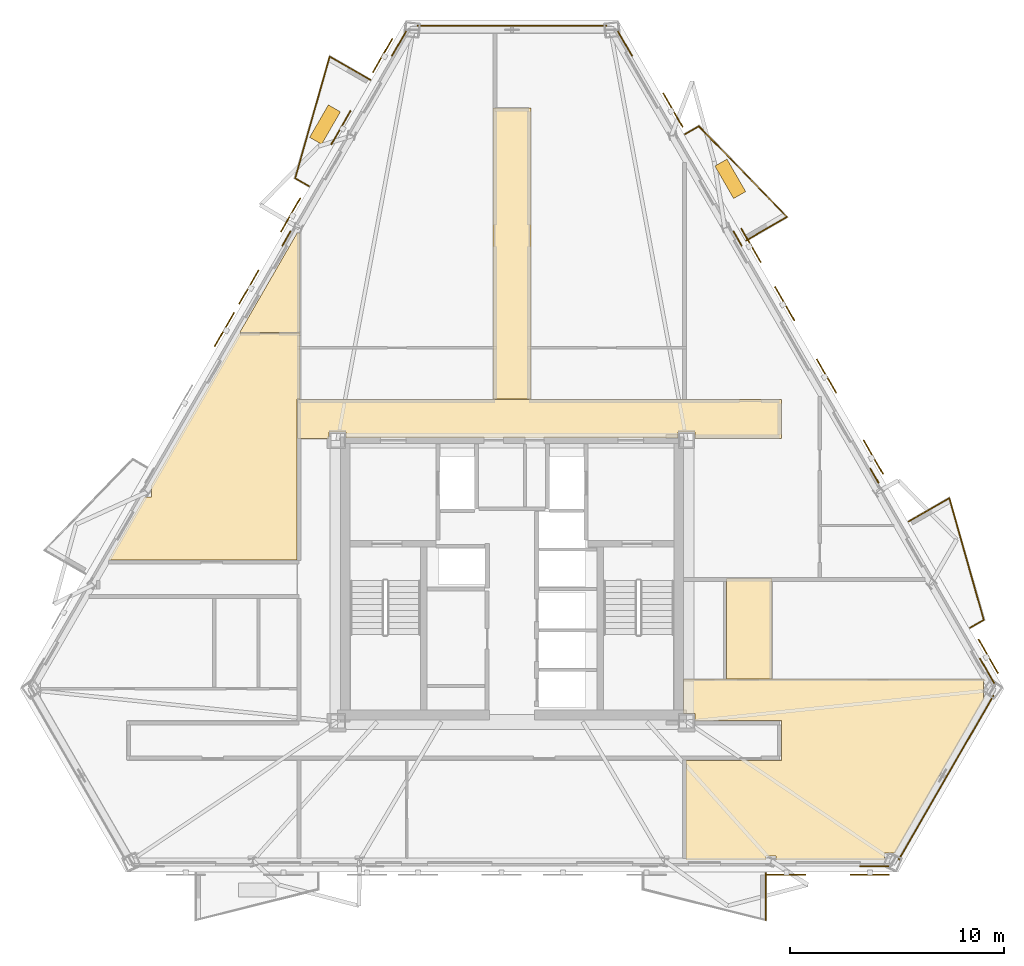
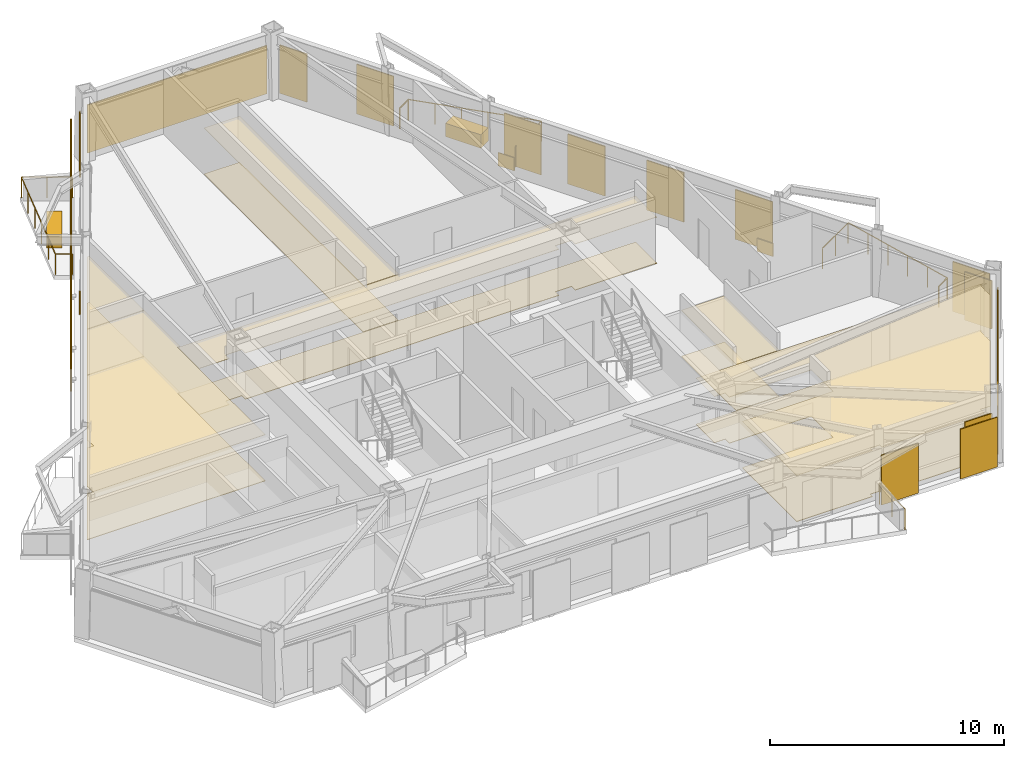
# One storey, part 9 of 9: 23 coverings, 13 shading devices, 10 railings.
"""IFC4 building model written with IfcOpenShell, lengths in metres."""

from ifc_helpers import new_model, si_unit, direction, frame, origin, origin_2d, place, context, subcontext, project, spatial, polyline, rectangle, circle, outline, extrude, material, layer, layer_set, type_object, element, save


model = new_model("IFC4")

# Units and contexts
model_context = context("Model", 3, precision=1e-05, world=origin(), true_north=direction((0.0, 1.0)))
body_context = subcontext(model_context, "Body", "Model", "MODEL_VIEW")
ifc_project = project(units=[si_unit("LENGTHUNIT", "METRE"), si_unit("AREAUNIT", "SQUARE_METRE"), si_unit("VOLUMEUNIT", "CUBIC_METRE"), si_unit("PLANEANGLEUNIT", "RADIAN"), si_unit("MASSUNIT", "GRAM", prefix="KILO")], contexts=[model_context])

# Site, building, storey
site_placement = place(None, origin())
site = spatial("IfcSite", under=ifc_project, at=site_placement, CompositionType="ELEMENT")
building_placement = place(site_placement, origin())
building = spatial("IfcBuilding", under=site, at=building_placement, Name="Oramaril Tower", CompositionType="ELEMENT")
storey_placement = place(building_placement, frame((0.0, 0.0, 153.0)))
storey = spatial("IfcBuildingStorey", under=building, at=storey_placement, Name="L40", CompositionType="ELEMENT", Elevation=153.0)

# Coverings
ifc_material_1 = material(Name="Mineral Fibre Acoustic Ceiling")
ifc_layer_1 = layer(ifc_material_1, 0.02001953125)
ifc_layer_set_1 = layer_set([ifc_layer_1], Name="CVT-CEIL")
covering_type_1 = type_object("IfcCoveringType", Name="CVT-CEIL", PredefinedType="CEILING", material=ifc_layer_set_1)
covering_1_placement = place(storey_placement, frame((0.0, 0.0, 2.412109375)))
element("IfcCovering", 1, at=covering_1_placement, inside=storey, type_object=covering_type_1, Name="L40 Acoustic Suspended Ceiling 2", PredefinedType="CEILING", context=body_context, shape_type="SweptSolid", body=[
    extrude(outline(polyline([(50.080078125, 24.239990234375), (46.044921875, 24.239990234375), (46.044921875, 24.544921875), (45.2548828125, 24.544921875), (45.2548828125, 24.25), (29.7451171875, 24.25), (29.7451171875, 24.544921875), (28.955078125, 24.544921875), (28.955078125, 24.239990234375), (27.469970703125, 24.239990234375), (27.469970703125, 26.050048828125), (50.080078125, 26.050048828125), (50.080078125, 24.239990234375)])), origin(), (0.0, 0.0, 1.0), 0.019775390625),
])
covering_2_placement = place(storey_placement, frame((0.0, 0.0, 2.412109375)))
element("IfcCovering", 2, at=covering_2_placement, inside=storey, type_object=covering_type_1, Name="L40 Acoustic Suspended Ceiling 4", PredefinedType="CEILING", context=body_context, shape_type="SweptSolid", body=[
    extrude(outline(polyline([(38.3798828125, 26.070068359375), (36.6201171875, 26.070068359375), (36.6201171875, 39.679931640625), (38.3798828125, 39.679931640625), (38.3798828125, 26.070068359375)])), origin(), (0.0, 0.0, 1.0), 0.019775390625),
])
covering_3_placement = place(storey_placement, frame((0.0, 0.0, 2.412109375)))
element("IfcCovering", 3, at=covering_3_placement, inside=storey, type_object=covering_type_1, Name="L40 Acoustic Suspended Ceiling 12", PredefinedType="CEILING", context=body_context, shape_type="SweptSolid", body=[
    extrude(outline(polyline([(27.592041015625, 26.070068359375), (27.469970703125, 26.070068359375), (27.468017578125, 26.06982421875), (27.466064453125, 26.069580078125), (27.464111328125, 26.069091796875), (27.46240234375, 26.068603515625), (27.460693359375, 26.067626953125), (27.458984375, 26.066650390625), (27.457275390625, 26.0654296875), (27.455810546875, 26.064208984375), (27.45458984375, 26.062744140625), (27.453369140625, 26.06103515625), (27.452392578125, 26.059326171875), (27.451416015625, 26.0576171875), (27.450927734375, 26.055908203125), (27.450439453125, 26.053955078125), (27.4501953125, 26.052001953125), (27.449951171875, 26.050048828125), (27.449951171875, 24.239990234375), (27.4501953125, 24.238037109375), (27.450439453125, 24.236083984375), (27.450927734375, 24.234130859375), (27.451416015625, 24.232421875), (27.452392578125, 24.230712890625), (27.45263671875, 24.22998046875), (27.452392578125, 24.2294921875), (27.451416015625, 24.227783203125), (27.450927734375, 24.225830078125), (27.450439453125, 24.223876953125), (27.4501953125, 24.221923828125), (27.449951171875, 24.219970703125), (27.449951171875, 18.550048828125), (18.640380859375, 18.550048828125), (20.34814453125, 21.5078125), (20.658203125, 21.5078125), (20.658203125, 21.996826171875), (20.63037109375, 21.996826171875), (24.769775390625, 29.16650390625), (27.592041015625, 29.16650390625), (27.592041015625, 26.070068359375)])), origin(), (0.0, 0.0, 1.0), 0.019775390625),
])
covering_4_placement = place(storey_placement, frame((0.0, 0.0, 2.412109375)))
element("IfcCovering", 4, at=covering_4_placement, inside=storey, type_object=covering_type_1, Name="L40 Acoustic Suspended Ceiling 13", PredefinedType="CEILING", context=body_context, shape_type="SweptSolid", body=[
    extrude(outline(polyline([(27.469482421875, 33.84228515625), (27.592041015625, 33.84228515625), (27.592041015625, 29.1865234375), (24.781494140625, 29.1865234375), (27.469482421875, 33.84228515625)])), origin(), (0.0, 0.0, 1.0), 0.019775390625),
])
covering_5_placement = place(storey_placement, frame((0.0, 0.0, 2.412109375)))
element("IfcCovering", 5, at=covering_5_placement, inside=storey, type_object=covering_type_1, Name="L40 Acoustic Suspended Ceiling 14", PredefinedType="CEILING", context=body_context, shape_type="SweptSolid", body=[
    extrude(outline(polyline([(46.044921875, 11.39501953125), (45.51806640625, 11.39501953125), (45.51806640625, 12.98828125), (59.57080078125, 12.98828125), (59.613525390625, 12.913818359375), (59.5322265625, 12.913818359375), (59.5322265625, 12.106689453125), (59.57470703125, 12.106689453125), (55.403076171875, 4.880615234375), (54.89990234375, 4.880615234375), (54.89990234375, 4.5419921875), (49.82568359375, 4.5419921875), (49.82568359375, 4.730224609375), (49.364013671875, 4.730224609375), (49.364013671875, 4.5419921875), (45.6220703125, 4.5419921875), (45.6220703125, 9.199951171875), (50.080078125, 9.199951171875), (50.08203125, 9.2001953125), (50.083984375, 9.200439453125), (50.085693359375, 9.200927734375), (50.087646484375, 9.201416015625), (50.08935546875, 9.202392578125), (50.091064453125, 9.203369140625), (50.0927734375, 9.20458984375), (50.093994140625, 9.205810546875), (50.095458984375, 9.207275390625), (50.0966796875, 9.208984375), (50.09765625, 9.210693359375), (50.098388671875, 9.21240234375), (50.09912109375, 9.214111328125), (50.099609375, 9.216064453125), (50.099853515625, 9.218017578125), (50.10009765625, 9.219970703125), (50.10009765625, 11.030029296875), (50.099853515625, 11.031982421875), (50.099609375, 11.033935546875), (50.09912109375, 11.035888671875), (50.098388671875, 11.03759765625), (50.09765625, 11.039306640625), (50.0966796875, 11.041015625), (50.095458984375, 11.042724609375), (50.093994140625, 11.044189453125), (50.0927734375, 11.04541015625), (50.091064453125, 11.046630859375), (50.08935546875, 11.047607421875), (50.087646484375, 11.048583984375), (50.085693359375, 11.049072265625), (50.083984375, 11.049560546875), (50.08203125, 11.0498046875), (50.080078125, 11.050048828125), (46.044921875, 11.050048828125), (46.044921875, 11.39501953125)])), origin(), (0.0, 0.0, 1.0), 0.019775390625),
])
covering_6_placement = place(storey_placement, frame((0.0, 0.0, 2.412109375)))
element("IfcCovering", 6, at=covering_6_placement, inside=storey, type_object=covering_type_1, Name="L40 Acoustic Suspended Ceiling 16", PredefinedType="CEILING", context=body_context, shape_type="SweptSolid", body=[
    extrude(outline(polyline([(49.646240234375, 17.69189453125), (49.646240234375, 13.00830078125), (47.511962890625, 13.00830078125), (47.511962890625, 17.69189453125), (49.646240234375, 17.69189453125)])), origin(), (0.0, 0.0, 1.0), 0.019775390625),
])
ifc_material_2 = material(Name="Warm Cream Limestone", Category="masonry")
ifc_layer_2 = layer(ifc_material_2, 0.050048828125)
ifc_layer_set_2 = layer_set([ifc_layer_2], Name="CVT-CLD")
covering_type_2 = type_object("IfcCoveringType", Name="CVT-CLD", PredefinedType="CLADDING", material=ifc_layer_set_2)
covering_7_placement = place(storey_placement, frame((54.419921875, 4.2412109375, 0.0400390625), z_axis=(0.0, 0.0, 1.0), x_axis=(1.0, 0.0, 0.0)))
element("IfcCovering", 7, at=covering_7_placement, inside=storey, type_object=covering_type_2, Name="L40 Warm Cream Limestone Cladding", PredefinedType="CLADDING", context=body_context, shape_type="SweptSolid", body=[
    extrude(rectangle(XDim=1.35009765625, YDim=0.050048828125, at=origin_2d()), origin(), (0.0, 0.0, 1.0), 2.52001953125),
])
covering_8_placement = place(storey_placement, frame((57.778076171875, 8.392578125, 0.0400390625), z_axis=(0.0, 0.0, 1.0), x_axis=(0.5, 0.866025403784, 0.0)))
element("IfcCovering", 8, at=covering_8_placement, inside=storey, type_object=covering_type_2, Name="L40 Warm Cream Limestone Cladding", PredefinedType="CLADDING", context=body_context, shape_type="SweptSolid", body=[
    extrude(rectangle(XDim=8.864501953125, YDim=0.050048828125, at=origin_2d()), origin(), (0.0, 0.0, 1.0), 2.52001953125),
])
for number, where, z_axis, x_axis, name in (
    (9, (59.694091796875, 13.37646484375, 0.0400390625), (0.0, 0.0, 1.0), (-0.5, 0.866025403784, 0.0), "L40 Warm Cream Limestone Cladding"),
    (10, (42.7744140625, 42.6826171875, 0.0400390625), (0.0, 0.0, 1.0), (-0.5, 0.866025403784, 0.0), "L40 Warm Cream Limestone Cladding"),
):
    element("IfcCovering", number, at=place(storey_placement, frame(where, z_axis=z_axis, x_axis=x_axis)), inside=storey, type_object=covering_type_2, Name=name, PredefinedType="CLADDING", context=body_context, shape_type="SweptSolid", body=[
        extrude(rectangle(XDim=1.35009765625, YDim=0.050048828125, at=origin_2d()), origin(), (0.0, 0.0, 1.0), 2.52001953125),
    ])
for number, where, z_axis, x_axis, name in (
    (11, (54.432861328125, 22.489501953125, 0.0400390625), (0.0, 0.0, 1.0), (-0.5, 0.866025403784, 0.0), "L40 Warm Cream Limestone Spandrel Cladding"),
    (12, (48.03564453125, 33.569580078125, 0.0400390625), (0.0, 0.0, 1.0), (-0.5, 0.866025403784, 0.0), "L40 Warm Cream Limestone Spandrel Cladding"),
):
    element("IfcCovering", number, at=place(storey_placement, frame(where, z_axis=z_axis, x_axis=x_axis)), inside=storey, type_object=covering_type_2, Name=name, PredefinedType="CLADDING", context=body_context, shape_type="SweptSolid", body=[
        extrude(rectangle(XDim=0.800048828125, YDim=0.050048828125, at=origin_2d()), origin(), (0.0, 0.0, 1.0), 0.679931640625),
    ])
covering_9_placement = place(storey_placement, frame((37.5, 43.51513671875, 0.0400390625), z_axis=(0.0, 0.0, 1.0), x_axis=(-1.0, 0.0, 0.0)))
element("IfcCovering", 13, at=covering_9_placement, inside=storey, type_object=covering_type_2, Name="L40 Warm Cream Limestone Cladding", PredefinedType="CLADDING", context=body_context, shape_type="SweptSolid", body=[
    extrude(rectangle(XDim=8.864501953125, YDim=0.050048828125, at=origin_2d()), origin(), (0.0, 0.0, 1.0), 2.52001953125),
])
covering_10_placement = place(storey_placement, frame((32.2255859375, 42.6826171875, 0.0400390625), z_axis=(0.0, 0.0, 1.0), x_axis=(-0.5, -0.866025403784, 0.0)))
element("IfcCovering", 14, at=covering_10_placement, inside=storey, type_object=covering_type_2, Name="L40 Warm Cream Limestone Cladding", PredefinedType="CLADDING", context=body_context, shape_type="SweptSolid", body=[
    extrude(rectangle(XDim=1.35009765625, YDim=0.050048828125, at=origin_2d()), origin(), (0.0, 0.0, 1.0), 2.52001953125),
])
covering_11_placement = place(storey_placement, frame((26.96435546875, 33.569580078125, 0.0400390625), z_axis=(0.0, 0.0, 1.0), x_axis=(-0.5, -0.866025403784, 0.0)))
element("IfcCovering", 15, at=covering_11_placement, inside=storey, type_object=covering_type_2, Name="L40 Warm Cream Limestone Spandrel Cladding", PredefinedType="CLADDING", context=body_context, shape_type="SweptSolid", body=[
    extrude(rectangle(XDim=0.800048828125, YDim=0.050048828125, at=origin_2d()), origin(), (0.0, 0.0, 1.0), 0.679931640625),
])
for number, where, z_axis, x_axis, name in (
    (16, (47.697265625, 36.36279296875, 0.0), (0.0, 0.0, 1.0), (-0.5, 0.866025403784, 0.0), "L40 Structural Tree Planter Box L40-BAL-NE2"),
    (17, (28.76513671875, 38.89599609375, 0.0), (0.0, 0.0, 1.0), (-0.5, -0.866025403784, 0.0), "L40 Structural Tree Planter Box L40-BAL-NW1"),
):
    element("IfcCovering", number, at=place(storey_placement, frame(where, z_axis=z_axis, x_axis=x_axis)), inside=storey, type_object=covering_type_2, Name=name, PredefinedType="CLADDING", context=body_context, shape_type="SweptSolid", body=[
        extrude(rectangle(XDim=1.75, YDim=0.64990234375, at=origin_2d()), origin(), (0.0, 0.0, 1.0), 0.699951171875),
    ])
ifc_material_3 = material(Name="Honed Quartzite Stone Flooring", Category="masonry")
ifc_layer_3 = layer(ifc_material_3, 0.02490234375)
ifc_layer_set_3 = layer_set([ifc_layer_3], Name="CVT-FLR")
covering_type_3 = type_object("IfcCoveringType", Name="CVT-FLR", PredefinedType="FLOORING", material=ifc_layer_set_3)
covering_12_placement = place(storey_placement, origin())
element("IfcCovering", 18, at=covering_12_placement, inside=storey, type_object=covering_type_3, Name="L40 Honed Stone Floor Finish 2", PredefinedType="FLOORING", context=body_context, shape_type="SweptSolid", body=[
    extrude(outline(polyline([(50.080078125, 24.239990234375), (46.044921875, 24.239990234375), (46.044921875, 24.544921875), (45.2548828125, 24.544921875), (45.2548828125, 24.25), (29.7451171875, 24.25), (29.7451171875, 24.544921875), (28.955078125, 24.544921875), (28.955078125, 24.239990234375), (27.469970703125, 24.239990234375), (27.469970703125, 26.050048828125), (50.080078125, 26.050048828125), (50.080078125, 24.239990234375)])), origin(), (0.0, 0.0, 1.0), 0.02490234375),
])
covering_13_placement = place(storey_placement, origin())
element("IfcCovering", 19, at=covering_13_placement, inside=storey, type_object=covering_type_3, Name="L40 Honed Stone Floor Finish 4", PredefinedType="FLOORING", context=body_context, shape_type="SweptSolid", body=[
    extrude(outline(polyline([(38.3798828125, 26.070068359375), (36.6201171875, 26.070068359375), (36.6201171875, 39.679931640625), (38.3798828125, 39.679931640625), (38.3798828125, 26.070068359375)])), origin(), (0.0, 0.0, 1.0), 0.02490234375),
])
covering_14_placement = place(storey_placement, origin())
element("IfcCovering", 20, at=covering_14_placement, inside=storey, type_object=covering_type_3, Name="L40 Honed Stone Floor Finish 12", PredefinedType="FLOORING", context=body_context, shape_type="SweptSolid", body=[
    extrude(outline(polyline([(27.592041015625, 26.070068359375), (27.469970703125, 26.070068359375), (27.468017578125, 26.06982421875), (27.466064453125, 26.069580078125), (27.464111328125, 26.069091796875), (27.46240234375, 26.068603515625), (27.460693359375, 26.067626953125), (27.458984375, 26.066650390625), (27.457275390625, 26.0654296875), (27.455810546875, 26.064208984375), (27.45458984375, 26.062744140625), (27.453369140625, 26.06103515625), (27.452392578125, 26.059326171875), (27.451416015625, 26.0576171875), (27.450927734375, 26.055908203125), (27.450439453125, 26.053955078125), (27.4501953125, 26.052001953125), (27.449951171875, 26.050048828125), (27.449951171875, 24.239990234375), (27.4501953125, 24.238037109375), (27.450439453125, 24.236083984375), (27.450927734375, 24.234130859375), (27.451416015625, 24.232421875), (27.452392578125, 24.230712890625), (27.45263671875, 24.22998046875), (27.452392578125, 24.2294921875), (27.451416015625, 24.227783203125), (27.450927734375, 24.225830078125), (27.450439453125, 24.223876953125), (27.4501953125, 24.221923828125), (27.449951171875, 24.219970703125), (27.449951171875, 18.550048828125), (18.640380859375, 18.550048828125), (20.34814453125, 21.5078125), (20.658203125, 21.5078125), (20.658203125, 21.996826171875), (20.63037109375, 21.996826171875), (24.769775390625, 29.16650390625), (27.592041015625, 29.16650390625), (27.592041015625, 26.070068359375)])), origin(), (0.0, 0.0, 1.0), 0.02490234375),
])
covering_15_placement = place(storey_placement, origin())
element("IfcCovering", 21, at=covering_15_placement, inside=storey, type_object=covering_type_3, Name="L40 Honed Stone Floor Finish 13", PredefinedType="FLOORING", context=body_context, shape_type="SweptSolid", body=[
    extrude(outline(polyline([(27.469482421875, 33.84228515625), (27.592041015625, 33.84228515625), (27.592041015625, 29.1865234375), (24.781494140625, 29.1865234375), (27.469482421875, 33.84228515625)])), origin(), (0.0, 0.0, 1.0), 0.02490234375),
])
covering_16_placement = place(storey_placement, origin())
element("IfcCovering", 22, at=covering_16_placement, inside=storey, type_object=covering_type_3, Name="L40 Honed Stone Floor Finish 14", PredefinedType="FLOORING", context=body_context, shape_type="SweptSolid", body=[
    extrude(outline(polyline([(46.044921875, 11.39501953125), (45.51806640625, 11.39501953125), (45.51806640625, 12.98828125), (59.57080078125, 12.98828125), (59.613525390625, 12.913818359375), (59.5322265625, 12.913818359375), (59.5322265625, 12.106689453125), (59.57470703125, 12.106689453125), (55.403076171875, 4.880615234375), (54.89990234375, 4.880615234375), (54.89990234375, 4.5419921875), (49.82568359375, 4.5419921875), (49.82568359375, 4.730224609375), (49.364013671875, 4.730224609375), (49.364013671875, 4.5419921875), (45.6220703125, 4.5419921875), (45.6220703125, 9.199951171875), (50.080078125, 9.199951171875), (50.08203125, 9.2001953125), (50.083984375, 9.200439453125), (50.085693359375, 9.200927734375), (50.087646484375, 9.201416015625), (50.08935546875, 9.202392578125), (50.091064453125, 9.203369140625), (50.0927734375, 9.20458984375), (50.093994140625, 9.205810546875), (50.095458984375, 9.207275390625), (50.0966796875, 9.208984375), (50.09765625, 9.210693359375), (50.098388671875, 9.21240234375), (50.09912109375, 9.214111328125), (50.099609375, 9.216064453125), (50.099853515625, 9.218017578125), (50.10009765625, 9.219970703125), (50.10009765625, 11.030029296875), (50.099853515625, 11.031982421875), (50.099609375, 11.033935546875), (50.09912109375, 11.035888671875), (50.098388671875, 11.03759765625), (50.09765625, 11.039306640625), (50.0966796875, 11.041015625), (50.095458984375, 11.042724609375), (50.093994140625, 11.044189453125), (50.0927734375, 11.04541015625), (50.091064453125, 11.046630859375), (50.08935546875, 11.047607421875), (50.087646484375, 11.048583984375), (50.085693359375, 11.049072265625), (50.083984375, 11.049560546875), (50.08203125, 11.0498046875), (50.080078125, 11.050048828125), (46.044921875, 11.050048828125), (46.044921875, 11.39501953125)])), origin(), (0.0, 0.0, 1.0), 0.02490234375),
])
covering_17_placement = place(storey_placement, origin())
element("IfcCovering", 23, at=covering_17_placement, inside=storey, type_object=covering_type_3, Name="L40 Honed Stone Floor Finish 16", PredefinedType="FLOORING", context=body_context, shape_type="SweptSolid", body=[
    extrude(outline(polyline([(49.646240234375, 17.69189453125), (49.646240234375, 13.00830078125), (47.511962890625, 13.00830078125), (47.511962890625, 17.69189453125), (49.646240234375, 17.69189453125)])), origin(), (0.0, 0.0, 1.0), 0.02490234375),
])

# Railings
ifc_material_4 = material(Name="Stainless Steel 316L", Category="steel")
railing_type = type_object("IfcRailingType", Name="RLT-GRD", PredefinedType="GUARDRAIL", material=ifc_material_4)
railing_1_placement = place(storey_placement, frame((49.350341796875, 3.926025390625, 0.0)))
element("IfcRailing", 24, at=railing_1_placement, inside=storey, type_object=railing_type, Name="L40 Balcony Guardrail L40-BAL-S2.1", PredefinedType="GUARDRAIL", context=body_context, shape_type="SweptSolid", body=[
    extrude(circle(Radius=0.02392578125, at=origin_2d()), frame((0.0, 0.0, 1.076171875), z_axis=(0.0, -1.0, 0.0), x_axis=(1.0, 0.0, 0.0)), (0.0, 0.0, 1.0), 2.19189453125),
    extrude(circle(Radius=0.02099609375, at=origin_2d()), origin(), (0.0, 0.0, 1.0), 1.052001953125),
    extrude(circle(Radius=0.02099609375, at=origin_2d()), frame((0.0, -1.095947265625, 0.0)), (0.0, 0.0, 1.0), 1.052001953125),
    extrude(circle(Radius=0.02099609375, at=origin_2d()), frame((0.0, -2.19189453125, 0.0)), (0.0, 0.0, 1.0), 1.052001953125),
])
railing_2_placement = place(storey_placement, frame((56.02978515625, 20.353515625, 0.0)))
element("IfcRailing", 25, at=railing_2_placement, inside=storey, type_object=railing_type, Name="L40 Balcony Guardrail L40-BAL-NE1.1", PredefinedType="GUARDRAIL", context=body_context, shape_type="SweptSolid", body=[
    extrude(circle(Radius=0.02392578125, at=origin_2d()), frame((0.0, 0.0, 1.076171875), z_axis=(0.866020500697, 0.5000084923, 0.0), x_axis=(-0.5000084923, 0.866020500697, 0.0)), (0.0, 0.0, 1.0), 2.19189453125),
    extrude(circle(Radius=0.02099609375, at=origin_2d()), origin(), (0.0, 0.0, 1.0), 1.052001953125),
    extrude(circle(Radius=0.02099609375, at=origin_2d()), frame((0.94921875, 0.5478515625, 0.0)), (0.0, 0.0, 1.0), 1.052001953125),
    extrude(circle(Radius=0.02099609375, at=origin_2d()), frame((1.898193359375, 1.095947265625, 0.0)), (0.0, 0.0, 1.0), 1.052001953125),
])
railing_3_placement = place(storey_placement, frame((57.927978515625, 21.449462890625, 0.0)))
element("IfcRailing", 26, at=railing_3_placement, inside=storey, type_object=railing_type, Name="L40 Balcony Guardrail L40-BAL-NE1.2", PredefinedType="GUARDRAIL", context=body_context, shape_type="SweptSolid", body=[
    extrude(circle(Radius=0.02392578125, at=origin_2d()), frame((0.0, 0.0, 1.076171875), z_axis=(0.272287109361, -0.962216051662, 0.0), x_axis=(0.962216051662, 0.272287109361, 0.0)), (0.0, 0.0, 1.0), 5.91064453125),
    extrude(circle(Radius=0.02099609375, at=origin_2d()), origin(), (0.0, 0.0, 1.0), 1.052001953125),
    extrude(circle(Radius=0.02099609375, at=origin_2d()), frame((0.32177734375, -1.137451171875, 0.0)), (0.0, 0.0, 1.0), 1.052001953125),
    extrude(circle(Radius=0.02099609375, at=origin_2d()), frame((0.643798828125, -2.27490234375, 0.0)), (0.0, 0.0, 1.0), 1.052001953125),
    extrude(circle(Radius=0.02099609375, at=origin_2d()), frame((0.965576171875, -3.412353515625, 0.0)), (0.0, 0.0, 1.0), 1.052001953125),
    extrude(circle(Radius=0.02099609375, at=origin_2d()), frame((1.28759765625, -4.5498046875, 0.0)), (0.0, 0.0, 1.0), 1.052001953125),
    extrude(circle(Radius=0.02099609375, at=origin_2d()), frame((1.609375, -5.687255859375, 0.0)), (0.0, 0.0, 1.0), 1.052001953125),
])
railing_4_placement = place(storey_placement, frame((59.537353515625, 15.76220703125, 0.0)))
element("IfcRailing", 27, at=railing_4_placement, inside=storey, type_object=railing_type, Name="L40 Balcony Guardrail L40-BAL-NE1.3", PredefinedType="GUARDRAIL", context=body_context, shape_type="SweptSolid", body=[
    extrude(circle(Radius=0.02392578125, at=origin_2d()), frame((0.0, 0.0, 1.076171875), z_axis=(-0.865966403178, -0.500102178127, 0.0), x_axis=(0.500102178127, -0.865966403178, 0.0)), (0.0, 0.0, 1.0), 0.741943359375),
    extrude(circle(Radius=0.02099609375, at=origin_2d()), origin(), (0.0, 0.0, 1.0), 1.052001953125),
    extrude(circle(Radius=0.02099609375, at=origin_2d()), frame((-0.642578125, -0.37109375, 0.0)), (0.0, 0.0, 1.0), 1.052001953125),
])
railing_5_placement = place(storey_placement, frame((45.581787109375, 38.44970703125, 0.0)))
element("IfcRailing", 28, at=railing_5_placement, inside=storey, type_object=railing_type, Name="L40 Balcony Guardrail L40-BAL-NE2.1", PredefinedType="GUARDRAIL", context=body_context, shape_type="SweptSolid", body=[
    extrude(circle(Radius=0.02392578125, at=origin_2d()), frame((0.0, 0.0, 1.076171875), z_axis=(0.865966403178, 0.500102178127, 0.0), x_axis=(-0.500102178127, 0.865966403178, 0.0)), (0.0, 0.0, 1.0), 0.741943359375),
    extrude(circle(Radius=0.02099609375, at=origin_2d()), origin(), (0.0, 0.0, 1.0), 1.052001953125),
    extrude(circle(Radius=0.02099609375, at=origin_2d()), frame((0.642578125, 0.37109375, 0.0)), (0.0, 0.0, 1.0), 1.052001953125),
])
railing_6_placement = place(storey_placement, frame((46.224365234375, 38.82080078125, 0.0)))
element("IfcRailing", 29, at=railing_6_placement, inside=storey, type_object=railing_type, Name="L40 Balcony Guardrail L40-BAL-NE2.2", PredefinedType="GUARDRAIL", context=body_context, shape_type="SweptSolid", body=[
    extrude(circle(Radius=0.02392578125, at=origin_2d()), frame((0.0, 0.0, 1.076171875), z_axis=(0.697186915353, -0.716889395277, 0.0), x_axis=(0.716889395277, 0.697186915353, 0.0)), (0.0, 0.0, 1.0), 5.91064453125),
    extrude(circle(Radius=0.02099609375, at=origin_2d()), origin(), (0.0, 0.0, 1.0), 1.052001953125),
    extrude(circle(Radius=0.02099609375, at=origin_2d()), frame((0.82421875, -0.847412109375, 0.0)), (0.0, 0.0, 1.0), 1.052001953125),
    extrude(circle(Radius=0.02099609375, at=origin_2d()), frame((1.6484375, -1.69482421875, 0.0)), (0.0, 0.0, 1.0), 1.052001953125),
    extrude(circle(Radius=0.02099609375, at=origin_2d()), frame((2.472412109375, -2.54248046875, 0.0)), (0.0, 0.0, 1.0), 1.052001953125),
    extrude(circle(Radius=0.02099609375, at=origin_2d()), frame((3.296630859375, -3.389892578125, 0.0)), (0.0, 0.0, 1.0), 1.052001953125),
    extrude(circle(Radius=0.02099609375, at=origin_2d()), frame((4.120849609375, -4.2373046875, 0.0)), (0.0, 0.0, 1.0), 1.052001953125),
])
railing_7_placement = place(storey_placement, frame((50.34521484375, 34.58349609375, 0.0)))
element("IfcRailing", 30, at=railing_7_placement, inside=storey, type_object=railing_type, Name="L40 Balcony Guardrail L40-BAL-NE2.3", PredefinedType="GUARDRAIL", context=body_context, shape_type="SweptSolid", body=[
    extrude(circle(Radius=0.02392578125, at=origin_2d()), frame((0.0, 0.0, 1.076171875), z_axis=(-0.865972267571, -0.50009202333, 0.0), x_axis=(0.50009202333, -0.865972267571, 0.0)), (0.0, 0.0, 1.0), 2.19189453125),
    extrude(circle(Radius=0.02099609375, at=origin_2d()), origin(), (0.0, 0.0, 1.0), 1.052001953125),
    extrude(circle(Radius=0.02099609375, at=origin_2d()), frame((-0.94921875, -0.548095703125, 0.0)), (0.0, 0.0, 1.0), 1.052001953125),
    extrude(circle(Radius=0.02099609375, at=origin_2d()), frame((-1.898193359375, -1.09619140625, 0.0)), (0.0, 0.0, 1.0), 1.052001953125),
])
railing_8_placement = place(storey_placement, frame((28.015625, 36.0205078125, 0.0)))
element("IfcRailing", 31, at=railing_8_placement, inside=storey, type_object=railing_type, Name="L40 Balcony Guardrail L40-BAL-NW1.1", PredefinedType="GUARDRAIL", context=body_context, shape_type="SweptSolid", body=[
    extrude(circle(Radius=0.02392578125, at=origin_2d()), frame((0.0, 0.0, 1.076171875), z_axis=(-0.865966403178, 0.500102178127, 0.0), x_axis=(-0.500102178127, -0.865966403178, 0.0)), (0.0, 0.0, 1.0), 0.741943359375),
    extrude(circle(Radius=0.02099609375, at=origin_2d()), origin(), (0.0, 0.0, 1.0), 1.052001953125),
    extrude(circle(Radius=0.02099609375, at=origin_2d()), frame((-0.642578125, 0.37109375, 0.0)), (0.0, 0.0, 1.0), 1.052001953125),
])
railing_9_placement = place(storey_placement, frame((27.373046875, 36.3916015625, 0.0)))
element("IfcRailing", 32, at=railing_9_placement, inside=storey, type_object=railing_type, Name="L40 Balcony Guardrail L40-BAL-NW1.2", PredefinedType="GUARDRAIL", context=body_context, shape_type="SweptSolid", body=[
    extrude(circle(Radius=0.02392578125, at=origin_2d()), frame((0.0, 0.0, 1.076171875), z_axis=(0.272287109361, 0.962216051662, 0.0), x_axis=(-0.962216051662, 0.272287109361, 0.0)), (0.0, 0.0, 1.0), 5.91064453125),
    extrude(circle(Radius=0.02099609375, at=origin_2d()), origin(), (0.0, 0.0, 1.0), 1.052001953125),
    extrude(circle(Radius=0.02099609375, at=origin_2d()), frame((0.32177734375, 1.137451171875, 0.0)), (0.0, 0.0, 1.0), 1.052001953125),
    extrude(circle(Radius=0.02099609375, at=origin_2d()), frame((0.643798828125, 2.27490234375, 0.0)), (0.0, 0.0, 1.0), 1.052001953125),
    extrude(circle(Radius=0.02099609375, at=origin_2d()), frame((0.965576171875, 3.412353515625, 0.0)), (0.0, 0.0, 1.0), 1.052001953125),
    extrude(circle(Radius=0.02099609375, at=origin_2d()), frame((1.28759765625, 4.5498046875, 0.0)), (0.0, 0.0, 1.0), 1.052001953125),
    extrude(circle(Radius=0.02099609375, at=origin_2d()), frame((1.609375, 5.687255859375, 0.0)), (0.0, 0.0, 1.0), 1.052001953125),
])
railing_10_placement = place(storey_placement, frame((28.982421875, 42.078857421875, 0.0)))
element("IfcRailing", 33, at=railing_10_placement, inside=storey, type_object=railing_type, Name="L40 Balcony Guardrail L40-BAL-NW1.3", PredefinedType="GUARDRAIL", context=body_context, shape_type="SweptSolid", body=[
    extrude(circle(Radius=0.02392578125, at=origin_2d()), frame((0.0, 0.0, 1.076171875), z_axis=(0.866020500697, -0.5000084923, 0.0), x_axis=(0.5000084923, 0.866020500697, 0.0)), (0.0, 0.0, 1.0), 2.19189453125),
    extrude(circle(Radius=0.02099609375, at=origin_2d()), origin(), (0.0, 0.0, 1.0), 1.052001953125),
    extrude(circle(Radius=0.02099609375, at=origin_2d()), frame((0.94921875, -0.5478515625, 0.0)), (0.0, 0.0, 1.0), 1.052001953125),
    extrude(circle(Radius=0.02099609375, at=origin_2d()), frame((1.898193359375, -1.095947265625, 0.0)), (0.0, 0.0, 1.0), 1.052001953125),
])

# Shading devices
for number, where, z_axis, x_axis, name in (
    (34, (50.31689453125, 3.85400390625, -0.02001953125), (0.0, 0.0, 1.0), (1.0, 0.0, 0.0), "L40 Perforated Ceramic Solar Screen"),
    (35, (54.216796875, 3.85400390625, -0.02001953125), (0.0, 0.0, 1.0), (1.0, 0.0, 0.0), "L40 Perforated Ceramic Solar Screen"),
    (36, (59.74658203125, 14.059814453125, -0.02001953125), (0.0, 0.0, 1.0), (-0.5, 0.866025403784, 0.0), "L40 Perforated Ceramic Solar Screen"),
    (37, (52.188720703125, 27.150390625, -0.02001953125), (0.0, 0.0, 1.0), (-0.5, 0.866025403784, 0.0), "L40 Perforated Ceramic Solar Screen"),
    (38, (50.23876953125, 30.52783203125, -0.02001953125), (0.0, 0.0, 1.0), (-0.5, 0.866025403784, 0.0), "L40 Perforated Ceramic Solar Screen"),
    (39, (48.665283203125, 33.252685546875, -0.02001953125), (0.0, 0.0, 1.0), (-0.5, 0.866025403784, 0.0), "L40 Perforated Ceramic Solar Screen"),
    (40, (54.377685546875, 23.35888671875, -0.02001953125), (0.0, 0.0, 1.0), (-0.5, 0.866025403784, 0.0), "L40 Perforated Ceramic Solar Screen"),
    (41, (45.019287109375, 39.56787109375, -0.02001953125), (0.0, 0.0, 1.0), (-0.5, 0.866025403784, 0.0), "L40 Perforated Ceramic Solar Screen"),
    (42, (24.064208984375, 29.3203125, -0.02001953125), (0.0, 0.0, 1.0), (-0.5, -0.866025403784, 0.0), "L40 Perforated Ceramic Solar Screen"),
    (43, (27.16015625, 34.6826171875, -0.02001953125), (0.0, 0.0, 1.0), (-0.5, -0.866025403784, 0.0), "L40 Perforated Ceramic Solar Screen"),
    (44, (25.210205078125, 31.30517578125, -0.02001953125), (0.0, 0.0, 1.0), (-0.5, -0.866025403784, 0.0), "L40 Perforated Ceramic Solar Screen"),
    (45, (31.4580078125, 42.126953125, -0.02001953125), (0.0, 0.0, 1.0), (-0.5, -0.866025403784, 0.0), "L40 Perforated Ceramic Solar Screen"),
    (46, (29.508056640625, 38.74951171875, -0.02001953125), (0.0, 0.0, 1.0), (-0.5, -0.866025403784, 0.0), "L40 Perforated Ceramic Solar Screen"),
):
    element("IfcShadingDevice", number, at=place(storey_placement, frame(where, z_axis=z_axis, x_axis=x_axis)), inside=storey, Name=name, ObjectType="SCREEN", PredefinedType="USERDEFINED", context=body_context, shape_type="SweptSolid", body=[
        extrude(rectangle(XDim=1.8330078125, YDim=0.050048828125, at=origin_2d()), origin(), (0.0, 0.0, 1.0), 2.60009765625),
    ])

save(model, "model.ifc")
